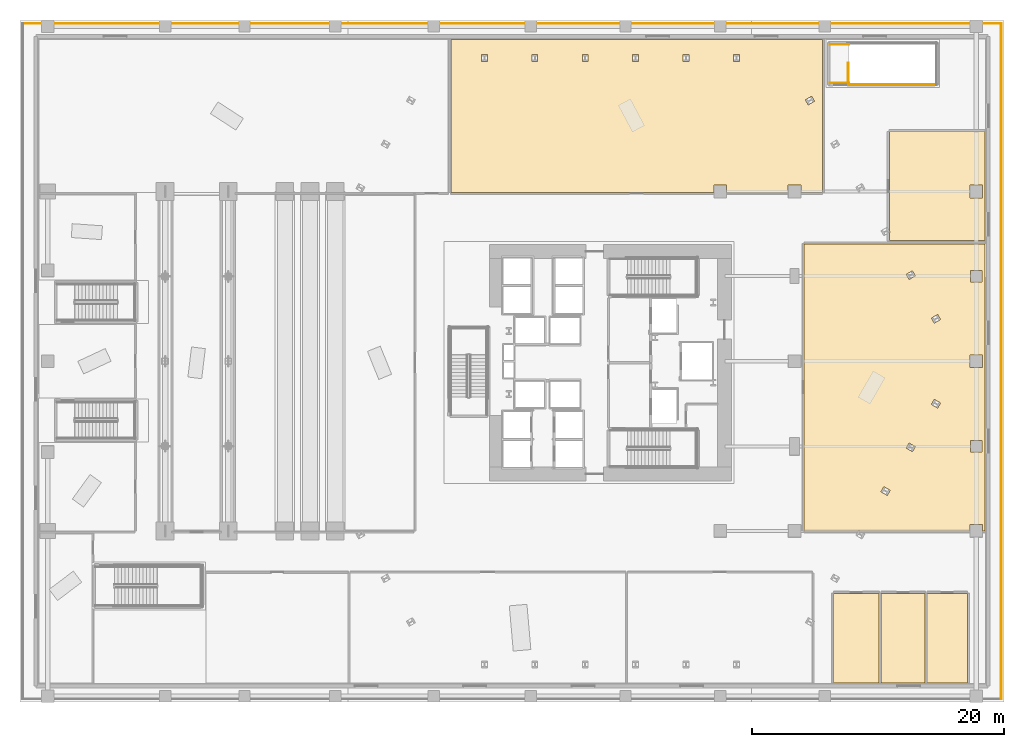
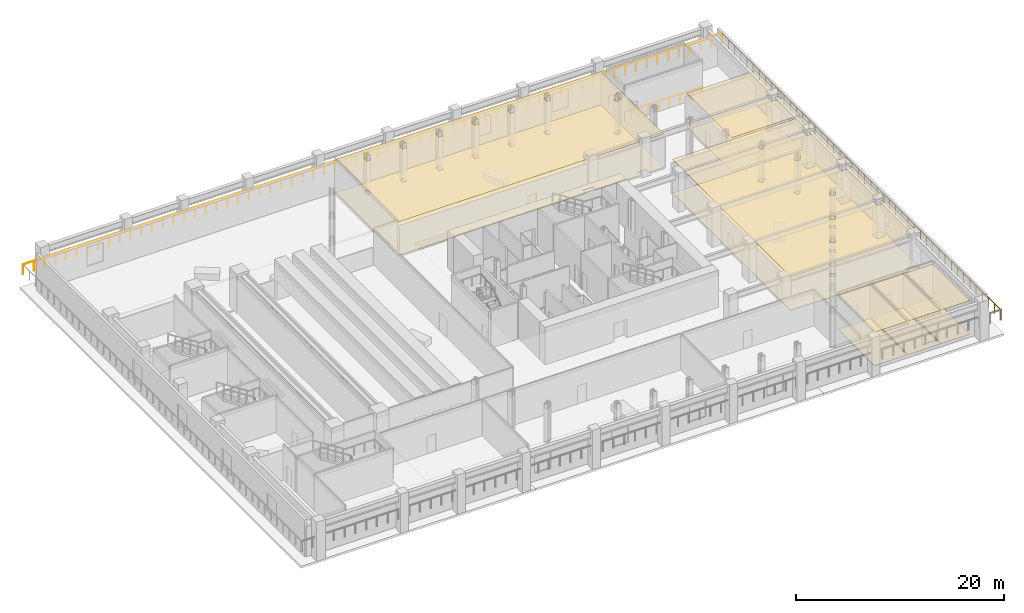
# One storey, part 22 of 24: 12 coverings, 6 railings.
"""IFC4 building model written with IfcOpenShell, lengths in metres."""

import ifcopenshell
import ifcopenshell.guid

model = None  # the IFC model being written
_history = None  # IfcOwnerHistory: only IFC2X3 demands one
_inside = {}  # id of a spatial element -> (the spatial element, [elements in it])
_under = {}  # id of a project, library or spatial element -> (it, [spatial elements below it])
_declared = {}  # id of a project -> (the project, [libraries it declares])
_typed = {}  # id of a type object -> (the type object, [elements of that type])
_made_of = {}  # id of a material, layer set ... -> (it, [elements and type objects made of it])


def new_model(schema):
    """Start an empty IFC model of exactly this schema.

    Asked for "IFC4X3", IfcOpenShell would pick the latest addendum, in which some entities
    have other attributes; the version numbers below select the first issue.
    IFC2X3 requires an IfcOwnerHistory on every rooted entity: one is made here for all.
    """
    global model, _history
    if schema == "IFC4X3":
        model = ifcopenshell.file(schema_version=(4, 3, 0, 0))
    else:
        model = ifcopenshell.file(schema=schema)
    _inside.clear()
    _under.clear()
    _declared.clear()
    _typed.clear()
    _made_of.clear()
    _history = None
    if model.schema == "IFC2X3":
        org = make("IfcOrganization", Name="unknown")
        user = make(
            "IfcPersonAndOrganization",
            ThePerson=make("IfcPerson", FamilyName="unknown"),
            TheOrganization=org,
        )
        app = make(
            "IfcApplication",
            ApplicationDeveloper=org,
            Version="unknown",
            ApplicationFullName="unknown",
            ApplicationIdentifier="unknown",
        )
        _history = make(
            "IfcOwnerHistory",
            OwningUser=user,
            OwningApplication=app,
            ChangeAction="ADDED",
            CreationDate=0,
        )
    return model


def make(cls, **values):
    """One entity of the class cls with the attributes given. An attribute that is None is left unset."""
    return model.create_entity(
        cls, **{name: value for name, value in values.items() if value is not None}
    )


def rooted(cls, **values):
    """An entity with a GlobalId (a new one), such as an element, a storey or a relation."""
    return make(cls, GlobalId=ifcopenshell.guid.new(), OwnerHistory=_history, **values)


def si_unit(unit_type, name, prefix=None):
    """IfcSIUnit, for example si_unit("LENGTHUNIT", "METRE", prefix="MILLI")."""
    return make("IfcSIUnit", UnitType=unit_type, Prefix=prefix, Name=name)


def assignment(units):
    """IfcUnitAssignment: the units of a project."""
    return None if units is None else make("IfcUnitAssignment", Units=units)


def point(xyz):
    """IfcCartesianPoint."""
    return None if xyz is None else make("IfcCartesianPoint", Coordinates=xyz)


def direction(xyz):
    """IfcDirection."""
    return None if xyz is None else make("IfcDirection", DirectionRatios=xyz)


def frame(location, z_axis=None, x_axis=None):
    """IfcAxis2Placement3D, a coordinate frame: its origin and axes. An axis left out is left unset."""
    return make(
        "IfcAxis2Placement3D",
        Location=point(location),
        Axis=direction(z_axis),
        RefDirection=direction(x_axis),
    )


def frame_2d(location, x_axis=None):
    """IfcAxis2Placement2D, a coordinate frame in the plane: its origin and x axis."""
    return make(
        "IfcAxis2Placement2D", Location=point(location), RefDirection=direction(x_axis)
    )


def origin():
    """The frame at (0, 0, 0) with its axes left unset."""
    return frame((0.0, 0.0, 0.0))


def origin_2d():
    """The frame at (0, 0) in the plane with its x axis left unset."""
    return frame_2d((0.0, 0.0))


def place(relative_to, where):
    """IfcLocalPlacement: puts the frame where relative to a parent placement (None: the world)."""
    return make(
        "IfcLocalPlacement", PlacementRelTo=relative_to, RelativePlacement=where
    )


def context(
    kind, dimensions, precision=None, world=None, true_north=None, identifier=None
):
    """IfcGeometricRepresentationContext, for example the 3D "Model" context."""
    return make(
        "IfcGeometricRepresentationContext",
        ContextIdentifier=identifier,
        ContextType=kind,
        CoordinateSpaceDimension=dimensions,
        Precision=precision,
        WorldCoordinateSystem=world,
        TrueNorth=true_north,
    )


def subcontext(parent, identifier, kind, view, scale=None):
    """IfcGeometricRepresentationSubContext, for example "Body" below "Model"."""
    return make(
        "IfcGeometricRepresentationSubContext",
        ContextIdentifier=identifier,
        ContextType=kind,
        ParentContext=parent,
        TargetScale=scale,
        TargetView=view,
    )


def project(units=None, contexts=None):
    """IfcProject with its units and contexts."""
    return rooted(
        "IfcProject",
        Name="project",
        RepresentationContexts=contexts,
        UnitsInContext=assignment(units),
    )


def spatial(cls, under=None, at=None, **own):
    """A site, building, storey or space (cls), placed at a placement, below another one or the project."""
    s = rooted(cls, ObjectPlacement=at, **own)
    if under is not None:
        _under.setdefault(under.id(), (under, []))[1].append(s)
    return s


def polyline(points):
    """IfcPolyline through the points."""
    return make("IfcPolyline", Points=[point(p) for p in points])


def profile(cls, at=None, kind="AREA", **sizes):
    """A parametric profile (cls). Its sizes go by their IFC names, for example OverallWidth=200.0."""
    return make(cls, ProfileType=kind, Position=at, **sizes)


def circle(**sizes):
    """IfcCircleProfileDef."""
    return profile("IfcCircleProfileDef", **sizes)


def outline(outer, holes=None, kind="AREA"):
    """IfcArbitraryClosedProfileDef: a profile drawn as a closed curve; with holes, ...WithVoids."""
    if holes is None:
        return make("IfcArbitraryClosedProfileDef", ProfileType=kind, OuterCurve=outer)
    return make(
        "IfcArbitraryProfileDefWithVoids",
        ProfileType=kind,
        OuterCurve=outer,
        InnerCurves=holes,
    )


def extrude(swept, where, along, depth):
    """IfcExtrudedAreaSolid: the profile swept, set in the frame where, extruded along a direction by depth."""
    return make(
        "IfcExtrudedAreaSolid",
        SweptArea=swept,
        Position=where,
        ExtrudedDirection=direction(along),
        Depth=depth,
    )


def shape(context_of_items, identifier, shape_type, items):
    """IfcShapeRepresentation: the items that make up one representation, for example the "Body"."""
    return make(
        "IfcShapeRepresentation",
        ContextOfItems=context_of_items,
        RepresentationIdentifier=identifier,
        RepresentationType=shape_type,
        Items=items,
    )


def material(Name=None, Category=None):
    """IfcMaterial."""
    return make("IfcMaterial", Name=Name, Category=Category)


def layer(
    of_material, thickness, ventilated=None, Name=None, Category=None, Priority=None
):
    """IfcMaterialLayer: one layer of a wall or slab, of a material (None: an air gap)."""
    return make(
        "IfcMaterialLayer",
        Material=of_material,
        LayerThickness=thickness,
        IsVentilated=ventilated,
        Name=Name,
        Category=Category,
        Priority=Priority,
    )


def layer_set(layers, Name=None):
    """IfcMaterialLayerSet."""
    return make("IfcMaterialLayerSet", MaterialLayers=layers, LayerSetName=Name)


def made_of(thing, what):
    """Note that an element or type object is made of a material, layer set ...; save() writes the relation."""
    if what is not None:
        _made_of.setdefault(what.id(), (what, []))[1].append(thing)
    return thing


def type_object(cls, material=None, **own):
    """A type object (cls), such as IfcWallType, which elements share."""
    return made_of(rooted(cls, **own), material)


def element(
    cls,
    number,
    at=None,
    inside=None,
    cuts=None,
    type_object=None,
    material=None,
    context=None,
    identifier="Body",
    shape_type=None,
    held_by="IfcProductDefinitionShape",
    body=None,
    shapes=None,
    **own,
):
    """One element of the class cls, such as IfcWall. Its Tag is "e" and its number.

    at: its placement. inside: the storey or other place that contains it. cuts: it is an
    opening in that element (IfcRelVoidsElement). A single representation is given by context,
    identifier, shape_type and body (its items); several are given by shapes. held_by: the class
    of the entity that holds the representations. save() writes the other relations.
    """
    e = rooted(cls, Tag="e%d" % number, ObjectPlacement=at, **own)
    if body is not None:
        shapes = [shape(context, identifier, shape_type, body)]
    if shapes is not None:
        e.Representation = make(held_by, Representations=shapes)
    if inside is not None:
        _inside.setdefault(inside.id(), (inside, []))[1].append(e)
    if cuts is not None:
        rooted(
            "IfcRelVoidsElement", RelatingBuildingElement=cuts, RelatedOpeningElement=e
        )
    if type_object is not None:
        _typed.setdefault(type_object.id(), (type_object, []))[1].append(e)
    return made_of(e, material)


def aggregate(whole, parts):
    """IfcRelAggregates: a whole, such as a stair, and the parts it consists of."""
    return rooted("IfcRelAggregates", RelatingObject=whole, RelatedObjects=parts)


def save(model, path):
    """Write the relations noted so far, then the file.

    IfcRelAggregates (storeys below a building ...), IfcRelContainedInSpatialStructure (elements
    in a storey), IfcRelDefinesByType, IfcRelAssociatesMaterial and IfcRelDeclares: one each for
    every whole, place, type object, material and project.
    """
    for whole, parts in _under.values():
        aggregate(whole, parts)
    for where, things in _inside.values():
        rooted(
            "IfcRelContainedInSpatialStructure",
            RelatedElements=things,
            RelatingStructure=where,
        )
    for kind, things in _typed.values():
        rooted("IfcRelDefinesByType", RelatedObjects=things, RelatingType=kind)
    for what, things in _made_of.values():
        rooted("IfcRelAssociatesMaterial", RelatedObjects=things, RelatingMaterial=what)
    for by, libraries in _declared.values():
        rooted("IfcRelDeclares", RelatingContext=by, RelatedDefinitions=libraries)
    model.write(path)


model = new_model("IFC4")

# Units and contexts
model_context = context("Model", 3, precision=1e-05, world=origin(), true_north=direction((0.0, 1.0)))
body_context = subcontext(model_context, "Body", "Model", "MODEL_VIEW")
ifc_project = project(units=[si_unit("LENGTHUNIT", "METRE"), si_unit("AREAUNIT", "SQUARE_METRE"), si_unit("VOLUMEUNIT", "CUBIC_METRE"), si_unit("PLANEANGLEUNIT", "RADIAN"), si_unit("MASSUNIT", "GRAM", prefix="KILO")], contexts=[model_context])

# Site, building, storey
site_placement = place(None, origin())
site = spatial("IfcSite", under=ifc_project, at=site_placement, CompositionType="ELEMENT")
building_placement = place(site_placement, origin())
building = spatial("IfcBuilding", under=site, at=building_placement, Name="Valkerne Bourse Tower", CompositionType="ELEMENT")
storey_placement = place(building_placement, frame((0.0, 0.0, 19.39990234375)))
storey = spatial("IfcBuildingStorey", under=building, at=storey_placement, Name="L04", CompositionType="ELEMENT", Elevation=19.39990234375)

# Coverings
ifc_material_1 = material(Name="Mineral Fiber Acoustic Ceiling Tile", Category="acoustic")
ifc_layer_1 = layer(ifc_material_1, 0.02490234375)
ifc_layer_set_1 = layer_set([ifc_layer_1], Name="Mineral Fiber Acoustic Ceiling Tile")
covering_type_1 = type_object("IfcCoveringType", Name="COV-CEIL-ACT", PredefinedType="CEILING", material=ifc_layer_set_1)
covering_1_placement = place(storey_placement, frame((0.0, 0.0, 3.9501953125)))
element("IfcCovering", 1, at=covering_1_placement, inside=storey, type_object=covering_type_1, Name="L04 Suspended Ceiling 05", PredefinedType="CEILING", context=body_context, shape_type="SweptSolid", body=[
    extrude(outline(polyline([(64.50390625, 8.595947265625), (68.095947265625, 8.595947265625), (68.095947265625, 1.50390625), (64.50390625, 1.50390625), (64.50390625, 8.595947265625)])), origin(), (0.0, 0.0, 1.0), 0.02490234375),
])
covering_2_placement = place(storey_placement, frame((0.0, 0.0, 3.9501953125)))
element("IfcCovering", 2, at=covering_2_placement, inside=storey, type_object=covering_type_1, Name="L04 Suspended Ceiling 06", PredefinedType="CEILING", context=body_context, shape_type="SweptSolid", body=[
    extrude(outline(polyline([(68.263916015625, 8.595947265625), (71.74609375, 8.595947265625), (71.74609375, 1.50390625), (68.263916015625, 1.50390625), (68.263916015625, 8.595947265625)])), origin(), (0.0, 0.0, 1.0), 0.02490234375),
])
covering_3_placement = place(storey_placement, frame((0.0, 0.0, 3.9501953125)))
element("IfcCovering", 3, at=covering_3_placement, inside=storey, type_object=covering_type_1, Name="L04 Suspended Ceiling 07", PredefinedType="CEILING", context=body_context, shape_type="SweptSolid", body=[
    extrude(outline(polyline([(71.9140625, 8.595947265625), (75.095947265625, 8.595947265625), (75.095947265625, 1.50390625), (71.9140625, 1.50390625), (71.9140625, 8.595947265625)])), origin(), (0.0, 0.0, 1.0), 0.02490234375),
])
covering_4_placement = place(storey_placement, frame((0.0, 0.0, 3.9501953125)))
element("IfcCovering", 4, at=covering_4_placement, inside=storey, type_object=covering_type_1, Name="L04 Suspended Ceiling 08", PredefinedType="CEILING", context=body_context, shape_type="SweptSolid", body=[
    extrude(outline(polyline([(62.154052734375, 36.2958984375), (76.49609375, 36.2958984375), (76.49609375, 13.553955078125), (76.303955078125, 13.553955078125), (76.303955078125, 14.053955078125), (75.2958984375, 14.053955078125), (75.2958984375, 13.553955078125), (66.555908203125, 13.553955078125), (66.479248046875, 13.59814453125), (66.453857421875, 13.553955078125), (62.154052734375, 13.553955078125), (62.154052734375, 36.2958984375)]), holes=[polyline([(68.24609375, 16.658203125), (68.74560546875, 16.36962890625), (68.97705078125, 16.770263671875), (68.477294921875, 17.058837890625), (68.24609375, 16.658203125)]), polyline([(70.243896484375, 20.118896484375), (70.74365234375, 19.830322265625), (70.97509765625, 20.23095703125), (70.475341796875, 20.51953125), (70.243896484375, 20.118896484375)]), polyline([(76.25390625, 20.7041015625), (75.345947265625, 20.7041015625), (75.345947265625, 19.7958984375), (76.25390625, 19.7958984375), (76.25390625, 20.7041015625)]), polyline([(72.241943359375, 23.579345703125), (72.74169921875, 23.291015625), (72.972900390625, 23.691650390625), (72.473388671875, 23.97998046875), (72.241943359375, 23.579345703125)]), polyline([(75.2958984375, 27.50390625), (75.2958984375, 26.49609375), (76.303955078125, 26.49609375), (76.303955078125, 27.50390625), (75.2958984375, 27.50390625)]), polyline([(72.74169921875, 30.708984375), (72.241943359375, 30.420654296875), (72.473388671875, 30.02001953125), (72.972900390625, 30.308349609375), (72.74169921875, 30.708984375)]), polyline([(75.345947265625, 34.2041015625), (75.345947265625, 33.2958984375), (76.25390625, 33.2958984375), (76.25390625, 34.2041015625), (75.345947265625, 34.2041015625)]), polyline([(70.243896484375, 33.881103515625), (70.475341796875, 33.48046875), (70.97509765625, 33.76904296875), (70.74365234375, 34.169677734375), (70.243896484375, 33.881103515625)])]), origin(), (0.0, 0.0, 1.0), 0.02490234375),
])
covering_5_placement = place(storey_placement, frame((0.0, 0.0, 3.9501953125)))
element("IfcCovering", 5, at=covering_5_placement, inside=storey, type_object=covering_type_1, Name="L04 Suspended Ceiling 09", PredefinedType="CEILING", context=body_context, shape_type="SweptSolid", body=[
    extrude(outline(polyline([(68.904052734375, 37.1875), (68.97705078125, 37.229736328125), (68.904052734375, 37.356201171875), (68.904052734375, 45.196044921875), (76.49609375, 45.196044921875), (76.49609375, 36.553955078125), (68.904052734375, 36.553955078125), (68.904052734375, 37.1875)]), holes=[polyline([(76.303955078125, 40.9541015625), (75.2958984375, 40.9541015625), (75.2958984375, 39.946044921875), (76.303955078125, 39.946044921875), (76.303955078125, 40.9541015625)])]), origin(), (0.0, 0.0, 1.0), 0.02490234375),
])
covering_6_placement = place(storey_placement, frame((0.0, 0.0, 3.9501953125)))
element("IfcCovering", 6, at=covering_6_placement, inside=storey, type_object=covering_type_1, Name="L04 Suspended Ceiling 10", PredefinedType="CEILING", context=body_context, shape_type="SweptSolid", body=[
    extrude(outline(polyline([(34.154052734375, 52.49609375), (63.595947265625, 52.49609375), (63.595947265625, 40.384033203125), (61.904052734375, 40.384033203125), (61.904052734375, 40.9541015625), (60.89599609375, 40.9541015625), (60.89599609375, 40.384033203125), (56.00390625, 40.384033203125), (56.00390625, 40.9541015625), (54.99609375, 40.9541015625), (54.99609375, 40.384033203125), (34.154052734375, 40.384033203125), (34.154052734375, 52.49609375)]), holes=[polyline([(44.57080078125, 51.32080078125), (44.57080078125, 50.74365234375), (45.033203125, 50.74365234375), (45.033203125, 51.32080078125), (44.57080078125, 51.32080078125)]), polyline([(52.5625, 51.32080078125), (52.5625, 50.74365234375), (53.025390625, 50.74365234375), (53.025390625, 51.32080078125), (52.5625, 51.32080078125)]), polyline([(41.037353515625, 51.32080078125), (40.57470703125, 51.32080078125), (40.57470703125, 50.74365234375), (41.037353515625, 50.74365234375), (41.037353515625, 51.32080078125)]), polyline([(49.029296875, 51.32080078125), (48.566650390625, 51.32080078125), (48.566650390625, 50.74365234375), (49.029296875, 50.74365234375), (49.029296875, 51.32080078125)]), polyline([(56.55859375, 51.32080078125), (56.55859375, 50.74365234375), (57.021240234375, 50.74365234375), (57.021240234375, 51.32080078125), (56.55859375, 51.32080078125)]), polyline([(36.57861328125, 51.32080078125), (36.57861328125, 50.74365234375), (37.04150390625, 50.74365234375), (37.04150390625, 51.32080078125), (36.57861328125, 51.32080078125)]), polyline([(62.751708984375, 48.01220703125), (62.251953125, 47.723876953125), (62.4833984375, 47.322998046875), (62.98291015625, 47.611572265625), (62.751708984375, 48.01220703125)])]), origin(), (0.0, 0.0, 1.0), 0.02490234375),
])
ifc_material_2 = material(Name="Galvanised Painted Steel", Category="steel")
ifc_layer_2 = layer(ifc_material_2, 0.044921875)
ifc_layer_set_2 = layer_set([ifc_layer_2], Name="Galvanised Painted Steel")
covering_type_2 = type_object("IfcCoveringType", Name="COV-FLR-RAF", PredefinedType="FLOORING", material=ifc_layer_set_2)
covering_7_placement = place(storey_placement, origin())
element("IfcCovering", 7, at=covering_7_placement, inside=storey, type_object=covering_type_2, Name="L04 Floor Finish 08", PredefinedType="FLOORING", context=body_context, shape_type="SweptSolid", body=[
    extrude(outline(polyline([(62.154052734375, 36.2958984375), (76.49609375, 36.2958984375), (76.49609375, 13.553955078125), (76.303955078125, 13.553955078125), (76.303955078125, 14.053955078125), (75.2958984375, 14.053955078125), (75.2958984375, 13.553955078125), (66.555908203125, 13.553955078125), (66.479248046875, 13.59814453125), (66.453857421875, 13.553955078125), (62.154052734375, 13.553955078125), (62.154052734375, 36.2958984375)]), holes=[polyline([(68.24609375, 16.658203125), (68.74560546875, 16.36962890625), (68.97705078125, 16.770263671875), (68.477294921875, 17.058837890625), (68.24609375, 16.658203125)]), polyline([(70.243896484375, 20.118896484375), (70.74365234375, 19.830322265625), (70.97509765625, 20.23095703125), (70.475341796875, 20.51953125), (70.243896484375, 20.118896484375)]), polyline([(76.25390625, 20.7041015625), (75.345947265625, 20.7041015625), (75.345947265625, 19.7958984375), (76.25390625, 19.7958984375), (76.25390625, 20.7041015625)]), polyline([(72.241943359375, 23.579345703125), (72.74169921875, 23.291015625), (72.972900390625, 23.691650390625), (72.473388671875, 23.97998046875), (72.241943359375, 23.579345703125)]), polyline([(75.2958984375, 27.50390625), (75.2958984375, 26.49609375), (76.303955078125, 26.49609375), (76.303955078125, 27.50390625), (75.2958984375, 27.50390625)]), polyline([(72.74169921875, 30.708984375), (72.241943359375, 30.420654296875), (72.473388671875, 30.02001953125), (72.972900390625, 30.308349609375), (72.74169921875, 30.708984375)]), polyline([(75.345947265625, 34.2041015625), (75.345947265625, 33.2958984375), (76.25390625, 33.2958984375), (76.25390625, 34.2041015625), (75.345947265625, 34.2041015625)]), polyline([(70.243896484375, 33.881103515625), (70.475341796875, 33.48046875), (70.97509765625, 33.76904296875), (70.74365234375, 34.169677734375), (70.243896484375, 33.881103515625)])]), origin(), (0.0, 0.0, 1.0), 0.045166015625),
])
covering_8_placement = place(storey_placement, origin())
element("IfcCovering", 8, at=covering_8_placement, inside=storey, type_object=covering_type_2, Name="L04 Floor Finish 09", PredefinedType="FLOORING", context=body_context, shape_type="SweptSolid", body=[
    extrude(outline(polyline([(68.904052734375, 37.1875), (68.97705078125, 37.229736328125), (68.904052734375, 37.356201171875), (68.904052734375, 45.196044921875), (76.49609375, 45.196044921875), (76.49609375, 36.553955078125), (68.904052734375, 36.553955078125), (68.904052734375, 37.1875)]), holes=[polyline([(76.303955078125, 40.9541015625), (75.2958984375, 40.9541015625), (75.2958984375, 39.946044921875), (76.303955078125, 39.946044921875), (76.303955078125, 40.9541015625)])]), origin(), (0.0, 0.0, 1.0), 0.045166015625),
])
covering_9_placement = place(storey_placement, origin())
element("IfcCovering", 9, at=covering_9_placement, inside=storey, type_object=covering_type_2, Name="L04 Floor Finish 10", PredefinedType="FLOORING", context=body_context, shape_type="SweptSolid", body=[
    extrude(outline(polyline([(34.154052734375, 52.49609375), (63.595947265625, 52.49609375), (63.595947265625, 40.384033203125), (61.904052734375, 40.384033203125), (61.904052734375, 40.9541015625), (60.89599609375, 40.9541015625), (60.89599609375, 40.384033203125), (56.00390625, 40.384033203125), (56.00390625, 40.9541015625), (54.99609375, 40.9541015625), (54.99609375, 40.384033203125), (34.154052734375, 40.384033203125), (34.154052734375, 52.49609375)]), holes=[polyline([(44.57080078125, 51.32080078125), (44.57080078125, 50.74365234375), (45.033203125, 50.74365234375), (45.033203125, 51.32080078125), (44.57080078125, 51.32080078125)]), polyline([(52.5625, 51.32080078125), (52.5625, 50.74365234375), (53.025390625, 50.74365234375), (53.025390625, 51.32080078125), (52.5625, 51.32080078125)]), polyline([(41.037353515625, 51.32080078125), (40.57470703125, 51.32080078125), (40.57470703125, 50.74365234375), (41.037353515625, 50.74365234375), (41.037353515625, 51.32080078125)]), polyline([(49.029296875, 51.32080078125), (48.566650390625, 51.32080078125), (48.566650390625, 50.74365234375), (49.029296875, 50.74365234375), (49.029296875, 51.32080078125)]), polyline([(56.55859375, 51.32080078125), (56.55859375, 50.74365234375), (57.021240234375, 50.74365234375), (57.021240234375, 51.32080078125), (56.55859375, 51.32080078125)]), polyline([(36.57861328125, 51.32080078125), (36.57861328125, 50.74365234375), (37.04150390625, 50.74365234375), (37.04150390625, 51.32080078125), (36.57861328125, 51.32080078125)]), polyline([(62.751708984375, 48.01220703125), (62.251953125, 47.723876953125), (62.4833984375, 47.322998046875), (62.98291015625, 47.611572265625), (62.751708984375, 48.01220703125)])]), origin(), (0.0, 0.0, 1.0), 0.045166015625),
])
ifc_material_3 = material(Name="Polished Granite Stone", Category="masonry")
ifc_layer_3 = layer(ifc_material_3, 0.030029296875)
ifc_layer_set_3 = layer_set([ifc_layer_3], Name="Polished Granite Stone")
covering_type_3 = type_object("IfcCoveringType", Name="COV-FLR-TERRAZZO", PredefinedType="FLOORING", material=ifc_layer_set_3)
covering_10_placement = place(storey_placement, origin())
element("IfcCovering", 10, at=covering_10_placement, inside=storey, type_object=covering_type_3, Name="L04 Floor Finish 05", PredefinedType="FLOORING", context=body_context, shape_type="SweptSolid", body=[
    extrude(outline(polyline([(64.50390625, 8.595947265625), (68.095947265625, 8.595947265625), (68.095947265625, 1.50390625), (64.50390625, 1.50390625), (64.50390625, 8.595947265625)])), origin(), (0.0, 0.0, 1.0), 0.030029296875),
])
covering_11_placement = place(storey_placement, origin())
element("IfcCovering", 11, at=covering_11_placement, inside=storey, type_object=covering_type_3, Name="L04 Floor Finish 06", PredefinedType="FLOORING", context=body_context, shape_type="SweptSolid", body=[
    extrude(outline(polyline([(68.263916015625, 8.595947265625), (71.74609375, 8.595947265625), (71.74609375, 1.50390625), (68.263916015625, 1.50390625), (68.263916015625, 8.595947265625)])), origin(), (0.0, 0.0, 1.0), 0.030029296875),
])
covering_12_placement = place(storey_placement, origin())
element("IfcCovering", 12, at=covering_12_placement, inside=storey, type_object=covering_type_3, Name="L04 Floor Finish 07", PredefinedType="FLOORING", context=body_context, shape_type="SweptSolid", body=[
    extrude(outline(polyline([(71.9140625, 8.595947265625), (75.095947265625, 8.595947265625), (75.095947265625, 1.50390625), (71.9140625, 1.50390625), (71.9140625, 8.595947265625)])), origin(), (0.0, 0.0, 1.0), 0.030029296875),
])

# Railings
ifc_material_4 = material(Name="Laminated Tempered Safety Glass", Category="glass")
railing_type_1 = type_object("IfcRailingType", Name="RLG-GUARD-1150", PredefinedType="BALUSTRADE", material=ifc_material_4)
railing_1_placement = place(storey_placement, frame((77.780029296875, 0.219970703125, 1.60009765625)))
element("IfcRailing", 13, at=railing_1_placement, inside=storey, type_object=railing_type_1, Name="L04 Perimeter Guard Railing GRD-POD-L04-02", PredefinedType="BALUSTRADE", context=body_context, shape_type="SweptSolid", body=[
    extrude(circle(Radius=0.02392578125, at=origin_2d()), frame((0.0, 0.0, 1.1259765625), z_axis=(0.0, 1.0, 0.0), x_axis=(-1.0, 0.0, 0.0)), (0.0, 0.0, 1.0), 53.56005859375),
    extrude(circle(Radius=0.02099609375, at=origin_2d()), origin(), (0.0, 0.0, 1.0), 1.101806640625),
    extrude(circle(Radius=0.02099609375, at=origin_2d()), frame((0.0, 1.190185546875, 0.0)), (0.0, 0.0, 1.0), 1.101806640625),
    extrude(circle(Radius=0.02099609375, at=origin_2d()), frame((0.0, 2.38037109375, 0.0)), (0.0, 0.0, 1.0), 1.101806640625),
    extrude(circle(Radius=0.02099609375, at=origin_2d()), frame((0.0, 3.570556640625, 0.0)), (0.0, 0.0, 1.0), 1.101806640625),
    extrude(circle(Radius=0.02099609375, at=origin_2d()), frame((0.0, 4.760986328125, 0.0)), (0.0, 0.0, 1.0), 1.101806640625),
    extrude(circle(Radius=0.02099609375, at=origin_2d()), frame((0.0, 5.951171875, 0.0)), (0.0, 0.0, 1.0), 1.101806640625),
    extrude(circle(Radius=0.02099609375, at=origin_2d()), frame((0.0, 7.141357421875, 0.0)), (0.0, 0.0, 1.0), 1.101806640625),
    extrude(circle(Radius=0.02099609375, at=origin_2d()), frame((0.0, 8.33154296875, 0.0)), (0.0, 0.0, 1.0), 1.101806640625),
    extrude(circle(Radius=0.02099609375, at=origin_2d()), frame((0.0, 9.521728515625, 0.0)), (0.0, 0.0, 1.0), 1.101806640625),
    extrude(circle(Radius=0.02099609375, at=origin_2d()), frame((0.0, 10.7119140625, 0.0)), (0.0, 0.0, 1.0), 1.101806640625),
    extrude(circle(Radius=0.02099609375, at=origin_2d()), frame((0.0, 11.90234375, 0.0)), (0.0, 0.0, 1.0), 1.101806640625),
    extrude(circle(Radius=0.02099609375, at=origin_2d()), frame((0.0, 13.092529296875, 0.0)), (0.0, 0.0, 1.0), 1.101806640625),
    extrude(circle(Radius=0.02099609375, at=origin_2d()), frame((0.0, 14.28271484375, 0.0)), (0.0, 0.0, 1.0), 1.101806640625),
    extrude(circle(Radius=0.02099609375, at=origin_2d()), frame((0.0, 15.472900390625, 0.0)), (0.0, 0.0, 1.0), 1.101806640625),
    extrude(circle(Radius=0.02099609375, at=origin_2d()), frame((0.0, 16.6630859375, 0.0)), (0.0, 0.0, 1.0), 1.101806640625),
    extrude(circle(Radius=0.02099609375, at=origin_2d()), frame((0.0, 17.853271484375, 0.0)), (0.0, 0.0, 1.0), 1.101806640625),
    extrude(circle(Radius=0.02099609375, at=origin_2d()), frame((0.0, 19.04345703125, 0.0)), (0.0, 0.0, 1.0), 1.101806640625),
    extrude(circle(Radius=0.02099609375, at=origin_2d()), frame((0.0, 20.23388671875, 0.0)), (0.0, 0.0, 1.0), 1.101806640625),
    extrude(circle(Radius=0.02099609375, at=origin_2d()), frame((0.0, 21.424072265625, 0.0)), (0.0, 0.0, 1.0), 1.101806640625),
    extrude(circle(Radius=0.02099609375, at=origin_2d()), frame((0.0, 22.6142578125, 0.0)), (0.0, 0.0, 1.0), 1.101806640625),
    extrude(circle(Radius=0.02099609375, at=origin_2d()), frame((0.0, 23.804443359375, 0.0)), (0.0, 0.0, 1.0), 1.101806640625),
    extrude(circle(Radius=0.02099609375, at=origin_2d()), frame((0.0, 24.99462890625, 0.0)), (0.0, 0.0, 1.0), 1.101806640625),
    extrude(circle(Radius=0.02099609375, at=origin_2d()), frame((0.0, 26.184814453125, 0.0)), (0.0, 0.0, 1.0), 1.101806640625),
    extrude(circle(Radius=0.02099609375, at=origin_2d()), frame((0.0, 27.375244140625, 0.0)), (0.0, 0.0, 1.0), 1.101806640625),
    extrude(circle(Radius=0.02099609375, at=origin_2d()), frame((0.0, 28.5654296875, 0.0)), (0.0, 0.0, 1.0), 1.101806640625),
    extrude(circle(Radius=0.02099609375, at=origin_2d()), frame((0.0, 29.755615234375, 0.0)), (0.0, 0.0, 1.0), 1.101806640625),
    extrude(circle(Radius=0.02099609375, at=origin_2d()), frame((0.0, 30.94580078125, 0.0)), (0.0, 0.0, 1.0), 1.101806640625),
    extrude(circle(Radius=0.02099609375, at=origin_2d()), frame((0.0, 32.135986328125, 0.0)), (0.0, 0.0, 1.0), 1.101806640625),
    extrude(circle(Radius=0.02099609375, at=origin_2d()), frame((0.0, 33.326171875, 0.0)), (0.0, 0.0, 1.0), 1.101806640625),
    extrude(circle(Radius=0.02099609375, at=origin_2d()), frame((0.0, 34.5166015625, 0.0)), (0.0, 0.0, 1.0), 1.101806640625),
    extrude(circle(Radius=0.02099609375, at=origin_2d()), frame((0.0, 35.706787109375, 0.0)), (0.0, 0.0, 1.0), 1.101806640625),
    extrude(circle(Radius=0.02099609375, at=origin_2d()), frame((0.0, 36.89697265625, 0.0)), (0.0, 0.0, 1.0), 1.101806640625),
    extrude(circle(Radius=0.02099609375, at=origin_2d()), frame((0.0, 38.087158203125, 0.0)), (0.0, 0.0, 1.0), 1.101806640625),
    extrude(circle(Radius=0.02099609375, at=origin_2d()), frame((0.0, 39.27734375, 0.0)), (0.0, 0.0, 1.0), 1.101806640625),
    extrude(circle(Radius=0.02099609375, at=origin_2d()), frame((0.0, 40.467529296875, 0.0)), (0.0, 0.0, 1.0), 1.101806640625),
    extrude(circle(Radius=0.02099609375, at=origin_2d()), frame((0.0, 41.65771484375, 0.0)), (0.0, 0.0, 1.0), 1.101806640625),
    extrude(circle(Radius=0.02099609375, at=origin_2d()), frame((0.0, 42.84814453125, 0.0)), (0.0, 0.0, 1.0), 1.101806640625),
    extrude(circle(Radius=0.02099609375, at=origin_2d()), frame((0.0, 44.038330078125, 0.0)), (0.0, 0.0, 1.0), 1.101806640625),
    extrude(circle(Radius=0.02099609375, at=origin_2d()), frame((0.0, 45.228515625, 0.0)), (0.0, 0.0, 1.0), 1.101806640625),
    extrude(circle(Radius=0.02099609375, at=origin_2d()), frame((0.0, 46.418701171875, 0.0)), (0.0, 0.0, 1.0), 1.101806640625),
    extrude(circle(Radius=0.02099609375, at=origin_2d()), frame((0.0, 47.60888671875, 0.0)), (0.0, 0.0, 1.0), 1.101806640625),
    extrude(circle(Radius=0.02099609375, at=origin_2d()), frame((0.0, 48.799072265625, 0.0)), (0.0, 0.0, 1.0), 1.101806640625),
    extrude(circle(Radius=0.02099609375, at=origin_2d()), frame((0.0, 49.989501953125, 0.0)), (0.0, 0.0, 1.0), 1.101806640625),
    extrude(circle(Radius=0.02099609375, at=origin_2d()), frame((0.0, 51.1796875, 0.0)), (0.0, 0.0, 1.0), 1.101806640625),
    extrude(circle(Radius=0.02099609375, at=origin_2d()), frame((0.0, 52.369873046875, 0.0)), (0.0, 0.0, 1.0), 1.101806640625),
    extrude(circle(Radius=0.02099609375, at=origin_2d()), frame((0.0, 53.56005859375, 0.0)), (0.0, 0.0, 1.0), 1.101806640625),
])
railing_2_placement = place(storey_placement, frame((77.780029296875, 53.780029296875, 1.60009765625)))
element("IfcRailing", 14, at=railing_2_placement, inside=storey, type_object=railing_type_1, Name="L04 Perimeter Guard Railing GRD-POD-L04-03", PredefinedType="BALUSTRADE", context=body_context, shape_type="SweptSolid", body=[
    extrude(circle(Radius=0.02392578125, at=origin_2d()), frame((0.0, 0.0, 1.1259765625), z_axis=(-1.0, 0.0, 0.0), x_axis=(0.0, -1.0, 0.0)), (0.0, 0.0, 1.0), 77.56005859375),
    extrude(circle(Radius=0.02099609375, at=origin_2d()), origin(), (0.0, 0.0, 1.0), 1.101806640625),
    extrude(circle(Radius=0.02099609375, at=origin_2d()), frame((-1.193115234375, 0.0, 0.0)), (0.0, 0.0, 1.0), 1.101806640625),
    extrude(circle(Radius=0.02099609375, at=origin_2d()), frame((-2.386474609375, 0.0, 0.0)), (0.0, 0.0, 1.0), 1.101806640625),
    extrude(circle(Radius=0.02099609375, at=origin_2d()), frame((-3.57958984375, 0.0, 0.0)), (0.0, 0.0, 1.0), 1.101806640625),
    extrude(circle(Radius=0.02099609375, at=origin_2d()), frame((-4.77294921875, 0.0, 0.0)), (0.0, 0.0, 1.0), 1.101806640625),
    extrude(circle(Radius=0.02099609375, at=origin_2d()), frame((-5.966064453125, 0.0, 0.0)), (0.0, 0.0, 1.0), 1.101806640625),
    extrude(circle(Radius=0.02099609375, at=origin_2d()), frame((-7.159423828125, 0.0, 0.0)), (0.0, 0.0, 1.0), 1.101806640625),
    extrude(circle(Radius=0.02099609375, at=origin_2d()), frame((-8.3525390625, 0.0, 0.0)), (0.0, 0.0, 1.0), 1.101806640625),
    extrude(circle(Radius=0.02099609375, at=origin_2d()), frame((-9.5458984375, 0.0, 0.0)), (0.0, 0.0, 1.0), 1.101806640625),
    extrude(circle(Radius=0.02099609375, at=origin_2d()), frame((-10.739013671875, 0.0, 0.0)), (0.0, 0.0, 1.0), 1.101806640625),
    extrude(circle(Radius=0.02099609375, at=origin_2d()), frame((-11.932373046875, 0.0, 0.0)), (0.0, 0.0, 1.0), 1.101806640625),
    extrude(circle(Radius=0.02099609375, at=origin_2d()), frame((-13.12548828125, 0.0, 0.0)), (0.0, 0.0, 1.0), 1.101806640625),
    extrude(circle(Radius=0.02099609375, at=origin_2d()), frame((-14.31884765625, 0.0, 0.0)), (0.0, 0.0, 1.0), 1.101806640625),
    extrude(circle(Radius=0.02099609375, at=origin_2d()), frame((-15.511962890625, 0.0, 0.0)), (0.0, 0.0, 1.0), 1.101806640625),
    extrude(circle(Radius=0.02099609375, at=origin_2d()), frame((-16.705322265625, 0.0, 0.0)), (0.0, 0.0, 1.0), 1.101806640625),
    extrude(circle(Radius=0.02099609375, at=origin_2d()), frame((-17.8984375, 0.0, 0.0)), (0.0, 0.0, 1.0), 1.101806640625),
    extrude(circle(Radius=0.02099609375, at=origin_2d()), frame((-19.091796875, 0.0, 0.0)), (0.0, 0.0, 1.0), 1.101806640625),
    extrude(circle(Radius=0.02099609375, at=origin_2d()), frame((-20.284912109375, 0.0, 0.0)), (0.0, 0.0, 1.0), 1.101806640625),
    extrude(circle(Radius=0.02099609375, at=origin_2d()), frame((-21.478271484375, 0.0, 0.0)), (0.0, 0.0, 1.0), 1.101806640625),
    extrude(circle(Radius=0.02099609375, at=origin_2d()), frame((-22.67138671875, 0.0, 0.0)), (0.0, 0.0, 1.0), 1.101806640625),
    extrude(circle(Radius=0.02099609375, at=origin_2d()), frame((-23.86474609375, 0.0, 0.0)), (0.0, 0.0, 1.0), 1.101806640625),
    extrude(circle(Radius=0.02099609375, at=origin_2d()), frame((-25.057861328125, 0.0, 0.0)), (0.0, 0.0, 1.0), 1.101806640625),
    extrude(circle(Radius=0.02099609375, at=origin_2d()), frame((-26.2509765625, 0.0, 0.0)), (0.0, 0.0, 1.0), 1.101806640625),
    extrude(circle(Radius=0.02099609375, at=origin_2d()), frame((-27.4443359375, 0.0, 0.0)), (0.0, 0.0, 1.0), 1.101806640625),
    extrude(circle(Radius=0.02099609375, at=origin_2d()), frame((-28.637451171875, 0.0, 0.0)), (0.0, 0.0, 1.0), 1.101806640625),
    extrude(circle(Radius=0.02099609375, at=origin_2d()), frame((-29.830810546875, 0.0, 0.0)), (0.0, 0.0, 1.0), 1.101806640625),
    extrude(circle(Radius=0.02099609375, at=origin_2d()), frame((-31.02392578125, 0.0, 0.0)), (0.0, 0.0, 1.0), 1.101806640625),
    extrude(circle(Radius=0.02099609375, at=origin_2d()), frame((-32.21728515625, 0.0, 0.0)), (0.0, 0.0, 1.0), 1.101806640625),
    extrude(circle(Radius=0.02099609375, at=origin_2d()), frame((-33.410400390625, 0.0, 0.0)), (0.0, 0.0, 1.0), 1.101806640625),
    extrude(circle(Radius=0.02099609375, at=origin_2d()), frame((-34.603759765625, 0.0, 0.0)), (0.0, 0.0, 1.0), 1.101806640625),
    extrude(circle(Radius=0.02099609375, at=origin_2d()), frame((-35.796875, 0.0, 0.0)), (0.0, 0.0, 1.0), 1.101806640625),
    extrude(circle(Radius=0.02099609375, at=origin_2d()), frame((-36.990234375, 0.0, 0.0)), (0.0, 0.0, 1.0), 1.101806640625),
    extrude(circle(Radius=0.02099609375, at=origin_2d()), frame((-38.183349609375, 0.0, 0.0)), (0.0, 0.0, 1.0), 1.101806640625),
    extrude(circle(Radius=0.02099609375, at=origin_2d()), frame((-39.376708984375, 0.0, 0.0)), (0.0, 0.0, 1.0), 1.101806640625),
    extrude(circle(Radius=0.02099609375, at=origin_2d()), frame((-40.56982421875, 0.0, 0.0)), (0.0, 0.0, 1.0), 1.101806640625),
    extrude(circle(Radius=0.02099609375, at=origin_2d()), frame((-41.76318359375, 0.0, 0.0)), (0.0, 0.0, 1.0), 1.101806640625),
    extrude(circle(Radius=0.02099609375, at=origin_2d()), frame((-42.956298828125, 0.0, 0.0)), (0.0, 0.0, 1.0), 1.101806640625),
    extrude(circle(Radius=0.02099609375, at=origin_2d()), frame((-44.149658203125, 0.0, 0.0)), (0.0, 0.0, 1.0), 1.101806640625),
    extrude(circle(Radius=0.02099609375, at=origin_2d()), frame((-45.3427734375, 0.0, 0.0)), (0.0, 0.0, 1.0), 1.101806640625),
    extrude(circle(Radius=0.02099609375, at=origin_2d()), frame((-46.5361328125, 0.0, 0.0)), (0.0, 0.0, 1.0), 1.101806640625),
    extrude(circle(Radius=0.02099609375, at=origin_2d()), frame((-47.729248046875, 0.0, 0.0)), (0.0, 0.0, 1.0), 1.101806640625),
    extrude(circle(Radius=0.02099609375, at=origin_2d()), frame((-48.922607421875, 0.0, 0.0)), (0.0, 0.0, 1.0), 1.101806640625),
    extrude(circle(Radius=0.02099609375, at=origin_2d()), frame((-50.11572265625, 0.0, 0.0)), (0.0, 0.0, 1.0), 1.101806640625),
    extrude(circle(Radius=0.02099609375, at=origin_2d()), frame((-51.30908203125, 0.0, 0.0)), (0.0, 0.0, 1.0), 1.101806640625),
    extrude(circle(Radius=0.02099609375, at=origin_2d()), frame((-52.502197265625, 0.0, 0.0)), (0.0, 0.0, 1.0), 1.101806640625),
    extrude(circle(Radius=0.02099609375, at=origin_2d()), frame((-53.6953125, 0.0, 0.0)), (0.0, 0.0, 1.0), 1.101806640625),
    extrude(circle(Radius=0.02099609375, at=origin_2d()), frame((-54.888671875, 0.0, 0.0)), (0.0, 0.0, 1.0), 1.101806640625),
    extrude(circle(Radius=0.02099609375, at=origin_2d()), frame((-56.081787109375, 0.0, 0.0)), (0.0, 0.0, 1.0), 1.101806640625),
    extrude(circle(Radius=0.02099609375, at=origin_2d()), frame((-57.275146484375, 0.0, 0.0)), (0.0, 0.0, 1.0), 1.101806640625),
    extrude(circle(Radius=0.02099609375, at=origin_2d()), frame((-58.46826171875, 0.0, 0.0)), (0.0, 0.0, 1.0), 1.101806640625),
    extrude(circle(Radius=0.02099609375, at=origin_2d()), frame((-59.66162109375, 0.0, 0.0)), (0.0, 0.0, 1.0), 1.101806640625),
    extrude(circle(Radius=0.02099609375, at=origin_2d()), frame((-60.854736328125, 0.0, 0.0)), (0.0, 0.0, 1.0), 1.101806640625),
    extrude(circle(Radius=0.02099609375, at=origin_2d()), frame((-62.048095703125, 0.0, 0.0)), (0.0, 0.0, 1.0), 1.101806640625),
    extrude(circle(Radius=0.02099609375, at=origin_2d()), frame((-63.2412109375, 0.0, 0.0)), (0.0, 0.0, 1.0), 1.101806640625),
    extrude(circle(Radius=0.02099609375, at=origin_2d()), frame((-64.4345703125, 0.0, 0.0)), (0.0, 0.0, 1.0), 1.101806640625),
    extrude(circle(Radius=0.02099609375, at=origin_2d()), frame((-65.627685546875, 0.0, 0.0)), (0.0, 0.0, 1.0), 1.101806640625),
    extrude(circle(Radius=0.02099609375, at=origin_2d()), frame((-66.821044921875, 0.0, 0.0)), (0.0, 0.0, 1.0), 1.101806640625),
    extrude(circle(Radius=0.02099609375, at=origin_2d()), frame((-68.01416015625, 0.0, 0.0)), (0.0, 0.0, 1.0), 1.101806640625),
    extrude(circle(Radius=0.02099609375, at=origin_2d()), frame((-69.20751953125, 0.0, 0.0)), (0.0, 0.0, 1.0), 1.101806640625),
    extrude(circle(Radius=0.02099609375, at=origin_2d()), frame((-70.400634765625, 0.0, 0.0)), (0.0, 0.0, 1.0), 1.101806640625),
    extrude(circle(Radius=0.02099609375, at=origin_2d()), frame((-71.593994140625, 0.0, 0.0)), (0.0, 0.0, 1.0), 1.101806640625),
    extrude(circle(Radius=0.02099609375, at=origin_2d()), frame((-72.787109375, 0.0, 0.0)), (0.0, 0.0, 1.0), 1.101806640625),
    extrude(circle(Radius=0.02099609375, at=origin_2d()), frame((-73.98046875, 0.0, 0.0)), (0.0, 0.0, 1.0), 1.101806640625),
    extrude(circle(Radius=0.02099609375, at=origin_2d()), frame((-75.173583984375, 0.0, 0.0)), (0.0, 0.0, 1.0), 1.101806640625),
    extrude(circle(Radius=0.02099609375, at=origin_2d()), frame((-76.366943359375, 0.0, 0.0)), (0.0, 0.0, 1.0), 1.101806640625),
    extrude(circle(Radius=0.02099609375, at=origin_2d()), frame((-77.56005859375, 0.0, 0.0)), (0.0, 0.0, 1.0), 1.101806640625),
])
railing_type_2 = type_object("IfcRailingType", Name="RLG-ST-GUARD-1120", PredefinedType="GUARDRAIL", material=ifc_material_2)
railing_3_placement = place(storey_placement, frame((65.64990234375, 49.0, 0.0)))
element("IfcRailing", 15, at=railing_3_placement, inside=storey, type_object=railing_type_2, Name="L04 ST-P2 top well guard 1", PredefinedType="GUARDRAIL", context=body_context, shape_type="SweptSolid", body=[
    extrude(circle(Radius=0.02392578125, at=origin_2d()), frame((0.0, 0.0, 1.09619140625), z_axis=(0.0, 1.0, 0.0), x_axis=(-1.0, 0.0, 0.0)), (0.0, 0.0, 1.0), 1.64990234375),
    extrude(circle(Radius=0.02099609375, at=origin_2d()), origin(), (0.0, 0.0, 1.0), 1.072021484375),
    extrude(circle(Radius=0.02099609375, at=origin_2d()), frame((0.0, 0.824951171875, 0.0)), (0.0, 0.0, 1.0), 1.072021484375),
    extrude(circle(Radius=0.02099609375, at=origin_2d()), frame((0.0, 1.64990234375, 0.0)), (0.0, 0.0, 1.0), 1.072021484375),
])
railing_4_placement = place(storey_placement, frame((65.60009765625, 48.949951171875, 0.0)))
element("IfcRailing", 16, at=railing_4_placement, inside=storey, type_object=railing_type_2, Name="L04 ST-P2 top well guard 2", PredefinedType="GUARDRAIL", context=body_context, shape_type="SweptSolid", body=[
    extrude(circle(Radius=0.02392578125, at=origin_2d()), frame((0.0, 0.0, 1.09619140625), z_axis=(1.0, 0.0, 0.0), x_axis=(0.0, 1.0, 0.0)), (0.0, 0.0, 1.0), 7.099853515625),
    extrude(circle(Radius=0.02099609375, at=origin_2d()), origin(), (0.0, 0.0, 1.0), 1.072021484375),
    extrude(circle(Radius=0.02099609375, at=origin_2d()), frame((1.183349609375, 0.0, 0.0)), (0.0, 0.0, 1.0), 1.072021484375),
    extrude(circle(Radius=0.02099609375, at=origin_2d()), frame((2.36669921875, 0.0, 0.0)), (0.0, 0.0, 1.0), 1.072021484375),
    extrude(circle(Radius=0.02099609375, at=origin_2d()), frame((3.5498046875, 0.0, 0.0)), (0.0, 0.0, 1.0), 1.072021484375),
    extrude(circle(Radius=0.02099609375, at=origin_2d()), frame((4.733154296875, 0.0, 0.0)), (0.0, 0.0, 1.0), 1.072021484375),
    extrude(circle(Radius=0.02099609375, at=origin_2d()), frame((5.91650390625, 0.0, 0.0)), (0.0, 0.0, 1.0), 1.072021484375),
    extrude(circle(Radius=0.02099609375, at=origin_2d()), frame((7.099853515625, 0.0, 0.0)), (0.0, 0.0, 1.0), 1.072021484375),
])
for number, where, name in (
    (17, (64.199951171875, 49.050048828125, 0.0), "L04 ST-P2 top well guard 5"),
    (18, (64.199951171875, 52.10009765625, 0.0), "L04 ST-P2 top well guard 6"),
):
    element("IfcRailing", number, at=place(storey_placement, frame(where)), inside=storey, type_object=railing_type_2, Name=name, PredefinedType="GUARDRAIL", context=body_context, shape_type="SweptSolid", body=[
        extrude(circle(Radius=0.02392578125, at=origin_2d()), frame((0.0, 0.0, 1.09619140625), z_axis=(1.0, 0.0, 0.0), x_axis=(0.0, 1.0, 0.0)), (0.0, 0.0, 1.0), 1.5),
        extrude(circle(Radius=0.02099609375, at=origin_2d()), origin(), (0.0, 0.0, 1.0), 1.072021484375),
        extrude(circle(Radius=0.02099609375, at=origin_2d()), frame((0.75, 0.0, 0.0)), (0.0, 0.0, 1.0), 1.072021484375),
        extrude(circle(Radius=0.02099609375, at=origin_2d()), frame((1.5, 0.0, 0.0)), (0.0, 0.0, 1.0), 1.072021484375),
    ])

save(model, "model.ifc")
